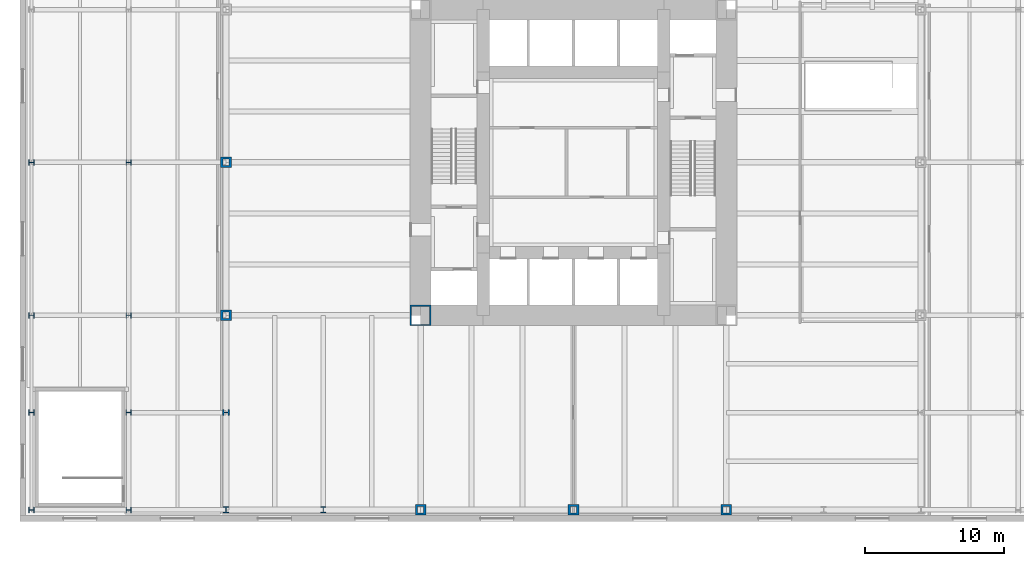
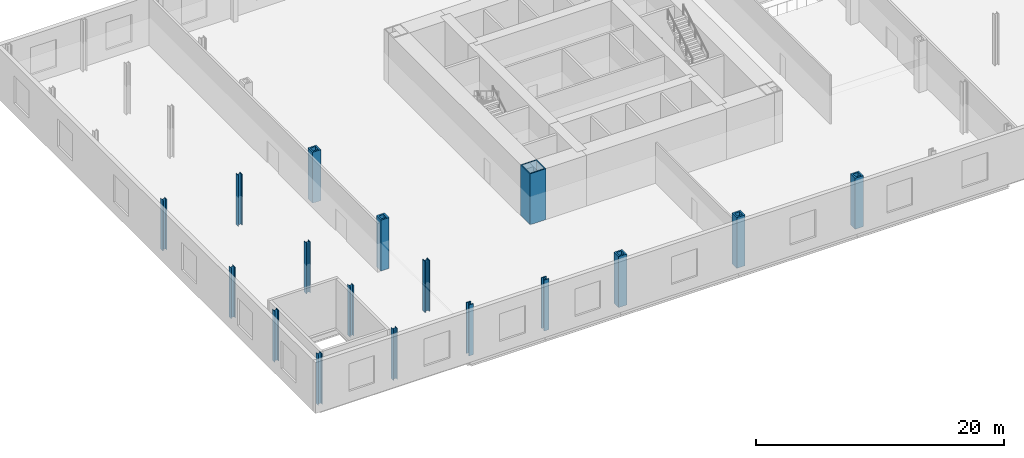
# One storey, part 1 of 12: 17 columns.
"""IFC4 building model written with IfcOpenShell, lengths in metres."""

from ifc_helpers import new_model, si_unit, direction, frame, origin, origin_2d, place, context, subcontext, project, spatial, hollow_rectangle, i_section, extrude, material, material_profile, profile_set, type_object, element, save


model = new_model("IFC4")

# Units and contexts
model_context = context("Model", 3, precision=1e-05, world=origin(), true_north=direction((0.0, 1.0)))
body_context = subcontext(model_context, "Body", "Model", "MODEL_VIEW")
ifc_project = project(units=[si_unit("LENGTHUNIT", "METRE"), si_unit("AREAUNIT", "SQUARE_METRE"), si_unit("VOLUMEUNIT", "CUBIC_METRE"), si_unit("PLANEANGLEUNIT", "RADIAN"), si_unit("MASSUNIT", "GRAM", prefix="KILO")], contexts=[model_context])

# Site, building, storey
site_placement = place(None, origin())
site = spatial("IfcSite", under=ifc_project, at=site_placement, CompositionType="ELEMENT")
building_placement = place(site_placement, origin())
building = spatial("IfcBuilding", under=site, at=building_placement, Name="Trevanion Tower", CompositionType="ELEMENT")
storey_placement = place(building_placement, frame((0.0, 0.0, 11.0)))
storey = spatial("IfcBuildingStorey", under=building, at=storey_placement, Name="L02", CompositionType="ELEMENT", Elevation=11.0)

# Columns
ifc_material_1 = material(Name="Steel ASTM A588 Grade 50", Category="steel")
ifc_material_profile_1 = material_profile(ifc_material_1, hollow_rectangle(XDim=0.761962890625, YDim=0.761962890625, WallThickness=0.15234375, at=origin_2d()), Name="BOX30X30X6")
ifc_profile_set_1 = profile_set([ifc_material_profile_1], Name="Steel ASTM A588 Grade 50")
column_type_1 = type_object("IfcColumnType", Name="C1 BOX30X30X6", PredefinedType="COLUMN", material=ifc_profile_set_1)
for number, where, z_axis, x_axis, name in (
    (1, (-25.0, 0.0, 0.0), (0.0, 0.0, 1.0), (0.0, 1.0, 0.0), "C1 3/H L02"),
    (2, (-25.0, -11.0, 0.0), (0.0, 0.0, 1.0), (0.0, 1.0, 0.0), "C1 3/F L02"),
    (3, (-11.0, -25.0, 0.0), (0.0, 0.0, 1.0), (1.0, 0.0, 0.0), "C1 8/A L02"),
    (4, (0.0, -25.0, 0.0), (0.0, 0.0, 1.0), (1.0, 0.0, 0.0), "C1 10/A L02"),
    (5, (11.0, -25.0, 0.0), (0.0, 0.0, 1.0), (1.0, 0.0, 0.0), "C1 12/A L02"),
):
    element("IfcColumn", number, at=place(storey_placement, frame(where, z_axis=z_axis, x_axis=x_axis)), inside=storey, type_object=column_type_1, Name=name, PredefinedType="COLUMN", context=body_context, shape_type="SweptSolid", body=[
        extrude(hollow_rectangle(XDim=0.761962890625, YDim=0.761962890625, WallThickness=0.15234375, at=origin_2d()), origin(), (0.0, 0.0, 1.0), 5.0),
    ])
ifc_material_2 = material(Name="Steel ASTM A913 Grade 65", Category="steel")
ifc_material_profile_2 = material_profile(ifc_material_2, i_section(OverallWidth=0.4267578125, OverallDepth=0.482666015625, WebThickness=0.05126953125, FlangeThickness=0.08154296875, at=origin_2d()), Name="W14X455")
ifc_profile_set_2 = profile_set([ifc_material_profile_2], Name="Steel ASTM A913 Grade 65")
column_type_2 = type_object("IfcColumnType", Name="C2 W14X455", PredefinedType="COLUMN", material=ifc_profile_set_2)
for number, where, z_axis, x_axis, name in (
    (6, (-25.0, -18.0, 0.0), (0.0, 0.0, 1.0), (0.0, 1.0, 0.0), "C2 3/D L02"),
    (7, (-25.0, -25.0, 0.0), (0.0, 0.0, 1.0), (1.0, 0.0, 0.0), "C2 3/A L02"),
    (8, (-18.0, -25.0, 0.0), (0.0, 0.0, 1.0), (1.0, 0.0, 0.0), "C2 6/A L02"),
):
    element("IfcColumn", number, at=place(storey_placement, frame(where, z_axis=z_axis, x_axis=x_axis)), inside=storey, type_object=column_type_2, Name=name, PredefinedType="COLUMN", context=body_context, shape_type="SweptSolid", body=[
        extrude(i_section(OverallWidth=0.4267578125, OverallDepth=0.482666015625, WebThickness=0.05126953125, FlangeThickness=0.08154296875, at=origin_2d()), origin(), (0.0, 0.0, 1.0), 5.0),
    ])
ifc_material_3 = material(Name="Steel ASTM A913 Grade 65", Category="steel")
ifc_material_profile_3 = material_profile(ifc_material_3, i_section(OverallWidth=0.393798828125, OverallDepth=0.3759765625, WebThickness=0.017333984375, FlangeThickness=0.027587890625, at=origin_2d()), Name="W14X145")
ifc_profile_set_3 = profile_set([ifc_material_profile_3], Name="Steel ASTM A913 Grade 65")
column_type_3 = type_object("IfcColumnType", Name="C3 W14X145", PredefinedType="COLUMN", material=ifc_profile_set_3)
for number, where, z_axis, x_axis, name in (
    (9, (-39.0, -25.0, 0.0), (0.0, 0.0, 1.0), (0.0, 1.0, 0.0), "C3 1/A L02"),
    (10, (-39.0, -18.0, 0.0), (0.0, 0.0, 1.0), (0.0, 1.0, 0.0), "C3 1/D L02"),
    (11, (-39.0, -11.0, 0.0), (0.0, 0.0, 1.0), (0.0, 1.0, 0.0), "C3 1/F L02"),
    (12, (-39.0, 0.0, 0.0), (0.0, 0.0, 1.0), (0.0, 1.0, 0.0), "C3 1/H L02"),
    (13, (-32.0, -25.0, 0.0), (0.0, 0.0, 1.0), (0.0, 1.0, 0.0), "C3 2/A L02"),
    (14, (-32.0, -18.0, 0.0), (0.0, 0.0, 1.0), (0.0, 1.0, 0.0), "C3 2/D L02"),
    (15, (-32.0, -11.0, 0.0), (0.0, 0.0, 1.0), (0.0, 1.0, 0.0), "C3 2/F L02"),
    (16, (-32.0, 0.0, 0.0), (0.0, 0.0, 1.0), (0.0, 1.0, 0.0), "C3 2/H L02"),
):
    element("IfcColumn", number, at=place(storey_placement, frame(where, z_axis=z_axis, x_axis=x_axis)), inside=storey, type_object=column_type_3, Name=name, PredefinedType="COLUMN", context=body_context, shape_type="SweptSolid", body=[
        extrude(i_section(OverallWidth=0.393798828125, OverallDepth=0.3759765625, WebThickness=0.017333984375, FlangeThickness=0.027587890625, at=origin_2d()), origin(), (0.0, 0.0, 1.0), 5.0),
    ])
ifc_material_4 = material(Name="Steel ASTM A572 Grade 50", Category="steel")
ifc_material_profile_4 = material_profile(ifc_material_4, hollow_rectangle(XDim=1.49853515625, YDim=1.49853515625, WallThickness=0.1015625, at=origin_2d()), Name="BOX59X59X4")
ifc_profile_set_4 = profile_set([ifc_material_profile_4], Name="Steel ASTM A572 Grade 50")
column_type_4 = type_object("IfcColumnType", Name="CB1 BOX59X59X4", PredefinedType="COLUMN", material=ifc_profile_set_4)
column_placement = place(storey_placement, frame((-11.0, -11.0, 0.0), z_axis=(0.0, 0.0, 1.0), x_axis=(1.0, 0.0, 0.0)))
element("IfcColumn", 17, at=column_placement, inside=storey, type_object=column_type_4, Name="CB1 SW L02", PredefinedType="COLUMN", context=body_context, shape_type="SweptSolid", body=[
    extrude(hollow_rectangle(XDim=1.49853515625, YDim=1.49853515625, WallThickness=0.1015625, at=origin_2d()), origin(), (0.0, 0.0, 1.0), 5.0),
])

save(model, "model.ifc")
